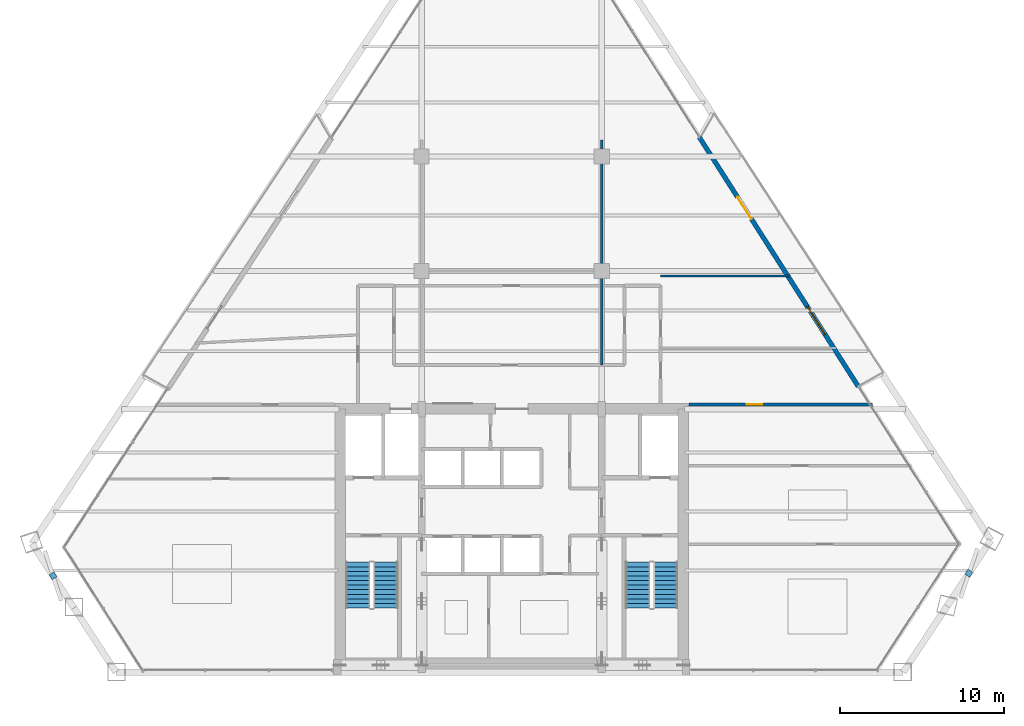
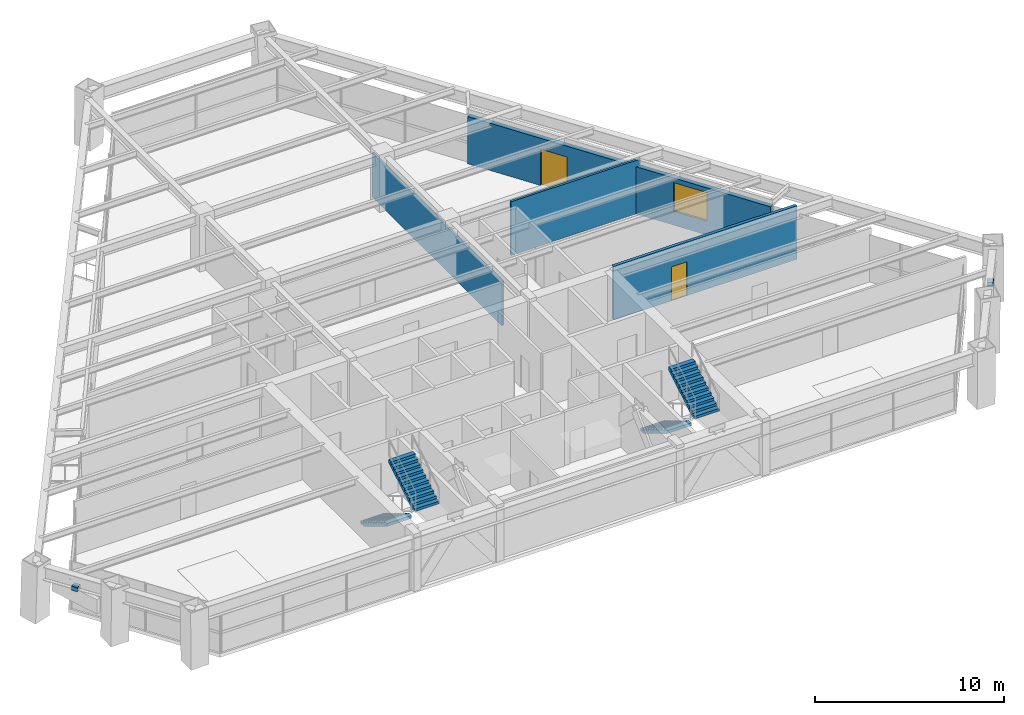
# One storey, part 13 of 15: 4 stair flights, 4 walls, 2 discrete accessories, 2 doors, 1 window, 3 openings, 2 elements without a shape of their own.
"""IFC4 building model written with IfcOpenShell, lengths in metres."""

from ifc_helpers import new_model, si_unit, direction, frame, frame_2d, origin, origin_2d, place, context, subcontext, project, spatial, polyline, rectangle, outline, extrude, source, transform, mapped, material, layer, layer_set, type_object, type_shapes, element, fill, aggregate, save


model = new_model("IFC4")

# Units and contexts
model_context = context("Model", 3, precision=1e-05, world=origin(), true_north=direction((0.0, 1.0)))
body_context = subcontext(model_context, "Body", "Model", "MODEL_VIEW")
ifc_project = project(units=[si_unit("LENGTHUNIT", "METRE"), si_unit("AREAUNIT", "SQUARE_METRE"), si_unit("VOLUMEUNIT", "CUBIC_METRE"), si_unit("PLANEANGLEUNIT", "RADIAN"), si_unit("MASSUNIT", "GRAM", prefix="KILO")], contexts=[model_context])

# Site, building, storey
site_placement = place(None, origin())
site = spatial("IfcSite", under=ifc_project, at=site_placement, CompositionType="ELEMENT")
building_placement = place(site_placement, origin())
building = spatial("IfcBuilding", under=site, at=building_placement, Name="Varnakhor Terracotta Tower", CompositionType="ELEMENT")
storey_placement = place(building_placement, frame((0.0, 0.0, 136.699951171875)))
storey = spatial("IfcBuildingStorey", under=building, at=storey_placement, Name="L34", CompositionType="ELEMENT", Elevation=136.699951171875)

# Wall, opening, door
ifc_material_1 = material(Name="Fire-Rated Gypsum Stud Partition", Category="gypsum")
ifc_layer_1 = layer(ifc_material_1, 0.18505859375, Name="Fire-Rated Gypsum Stud Partition")
ifc_layer_set_1 = layer_set([ifc_layer_1], Name="Fire-Rated Gypsum Stud Partition")
wall_type_1 = type_object("IfcWallType", Name="WAL-CORR-185", PredefinedType="PARTITIONING", material=ifc_layer_set_1)
wall_1_placement = place(storey_placement, frame((10.820068359375, 16.35009765625, 0.0), z_axis=(0.0, 0.0, 1.0), x_axis=(1.0, 0.0, 0.0)))
wall_1 = element("IfcWall", 1, at=wall_1_placement, inside=storey, type_object=wall_type_1, Name="L34 South East Entry Wall", PredefinedType="PARTITIONING", context=body_context, shape_type="SweptSolid", body=[
    extrude(rectangle(XDim=11.204345703125, YDim=0.18505859375, at=frame_2d((5.60205078125, 0.0))), origin(), (0.0, 0.0, 1.0), 3.462158203125),
])
opening_1_placement = place(wall_1_placement, frame((3.548583984375, 0.0, 0.0)))
opening_1 = element("IfcOpeningElement", 2, at=opening_1_placement, cuts=wall_1, Name="Opening DR-94", PredefinedType="OPENING", context=body_context, shape_type="SweptSolid", body=[
    extrude(rectangle(XDim=0.949951171875, YDim=2.199951171875, at=frame_2d((0.47509765625, 1.10009765625))), frame((0.0, 0.1025390625, 0.0), z_axis=(0.0, -1.0, 0.0), x_axis=(1.0, 0.0, 0.0)), (0.0, 0.0, 1.0), 0.205078125),
])
ifc_material_2 = material(Name="Acoustic Glazed-Vision Timber Office Door", Category="wood")
door_type_1 = type_object("IfcDoorType", Name="DR-OFF-950X2200", OperationType="NOTDEFINED", PredefinedType="DOOR", material=ifc_material_2)
shared_shape_1 = source(origin(), body_context, "Body", "SweptSolid", [
    extrude(rectangle(XDim=0.949951171875, YDim=2.199951171875, at=frame_2d((0.47509765625, 1.10009765625))), frame((0.0, 0.02490234375, 0.0), z_axis=(0.0, -1.0, 0.0), x_axis=(1.0, 0.0, 0.0)), (0.0, 0.0, 1.0), 0.050048828125),
])
type_shapes(door_type_1, [shared_shape_1])
door_1_placement = place(opening_1_placement, origin())
door_1 = element("IfcDoor", 3, at=door_1_placement, inside=storey, type_object=door_type_1, Name="L34 SE Suite Door", OperationType="SINGLE_SWING_RIGHT", OverallHeight=2.199951171875, OverallWidth=0.949951171875, PredefinedType="DOOR", context=body_context, shape_type="MappedRepresentation", body=[
    mapped(shared_shape_1, transform((0.0, 0.0, 0.0), scale=1.0)),
])
fill(opening_1, door_1)

# Wall, openings, door, window
ifc_material_3 = material(Name="Extruded Architectural Terracotta Assembly", Category="masonry")
ifc_layer_2 = layer(ifc_material_3, 0.280029296875, Name="Extruded Architectural Terracotta Assembly")
ifc_layer_set_2 = layer_set([ifc_layer_2], Name="Extruded Architectural Terracotta Assembly")
wall_type_2 = type_object("IfcWallType", Name="WAL-EXT-TERRACOTTA-280", PredefinedType="SOLIDWALL", material=ifc_layer_set_2)
wall_2_placement = place(storey_placement, frame((11.456298828125, 32.680908203125, 0.0), z_axis=(0.0, 0.0, 1.0), x_axis=(0.537658563867, -0.843162658507, 0.0)))
wall_2 = element("IfcWall", 4, at=wall_2_placement, inside=storey, type_object=wall_type_2, Name="L34 E Loggia Insulated Terracotta Wall", PredefinedType="SOLIDWALL", context=body_context, shape_type="SweptSolid", body=[
    extrude(rectangle(XDim=18.070068359375, YDim=0.280029296875, at=frame_2d((9.03515625, 0.0))), origin(), (0.0, 0.0, 1.0), 3.050048828125),
])
opening_2_placement = place(wall_2_placement, frame((4.3369140625, 0.0, 0.0)))
opening_2 = element("IfcOpeningElement", 5, at=opening_2_placement, cuts=wall_2, Name="Opening DR-62", PredefinedType="OPENING", context=body_context, shape_type="SweptSolid", body=[
    extrude(rectangle(XDim=1.60009765625, YDim=2.35009765625, at=frame_2d((0.800048828125, 1.175048828125))), frame((0.0, 0.14990234375, 0.0), z_axis=(0.0, -1.0, 0.0), x_axis=(1.0, 0.0, 0.0)), (0.0, 0.0, 1.0), 0.300048828125),
])
opening_3_placement = place(wall_2_placement, frame((12.287841796875, 0.0, 0.89990234375)))
opening_3 = element("IfcOpeningElement", 6, at=opening_3_placement, cuts=wall_2, Name="Opening WN-26", PredefinedType="OPENING", context=body_context, shape_type="SweptSolid", body=[
    extrude(rectangle(XDim=2.0, YDim=1.85009765625, at=frame_2d((1.0, 0.925048828125))), frame((0.0, 0.14990234375, 0.0), z_axis=(0.0, -1.0, 0.0), x_axis=(1.0, 0.0, 0.0)), (0.0, 0.0, 1.0), 0.300048828125),
])
ifc_material_4 = material(Name="Thermally Broken Sliding Glass Loggia Door", Category="glass")
door_type_2 = type_object("IfcDoorType", Name="DR-EXT-LOGGIA-1600X2350", OperationType="NOTDEFINED", PredefinedType="DOOR", material=ifc_material_4)
shared_shape_2 = source(origin(), body_context, "Body", "SweptSolid", [
    extrude(rectangle(XDim=1.60009765625, YDim=2.35009765625, at=frame_2d((0.800048828125, 1.175048828125))), frame((0.0, 0.02490234375, 0.0), z_axis=(0.0, -1.0, 0.0), x_axis=(1.0, 0.0, 0.0)), (0.0, 0.0, 1.0), 0.050048828125),
])
type_shapes(door_type_2, [shared_shape_2])
door_2_placement = place(opening_2_placement, origin())
door_2 = element("IfcDoor", 7, at=door_2_placement, inside=storey, type_object=door_type_2, Name="L34 E Recessed Loggia Sliding Door", OperationType="SLIDING_TO_RIGHT", OverallHeight=2.35009765625, OverallWidth=1.60009765625, PredefinedType="DOOR", context=body_context, shape_type="MappedRepresentation", body=[
    mapped(shared_shape_2, transform((0.0, 0.0, 0.0), scale=1.0)),
])
fill(opening_2, door_2)
ifc_material_5 = material(Name="Solar-Control Low-E Insulated Glass Unit", Category="glass")
window_type = type_object("IfcWindowType", Name="WIN-OFF-2200X2100", PartitioningType="SINGLE_PANEL", PredefinedType="WINDOW", material=ifc_material_5)
shared_shape_3 = source(origin(), body_context, "Body", "SweptSolid", [
    extrude(rectangle(XDim=2.0, YDim=1.85009765625, at=frame_2d((1.0, 0.925048828125))), frame((0.0, 0.030029296875, 0.0), z_axis=(0.0, -1.0, 0.0), x_axis=(1.0, 0.0, 0.0)), (0.0, 0.0, 1.0), 0.06005859375),
])
type_shapes(window_type, [shared_shape_3])
window_placement = place(opening_3_placement, origin())
window = element("IfcWindow", 8, at=window_placement, inside=storey, type_object=window_type, Name="L34 E Facet Punched Window", OverallHeight=1.85009765625, OverallWidth=2.0, PartitioningType="SINGLE_PANEL", PredefinedType="WINDOW", context=body_context, shape_type="MappedRepresentation", body=[
    mapped(shared_shape_3, transform((0.0, 0.0, 0.0), scale=1.0)),
])
fill(opening_3, window)

# Walls
ifc_material_6 = material(Name="Acoustic Metal-Stud Partition", Category="gypsum")
ifc_layer_3 = layer(ifc_material_6, 0.139892578125, Name="Acoustic Metal-Stud Partition")
ifc_layer_set_3 = layer_set([ifc_layer_3], Name="Acoustic Metal-Stud Partition")
wall_type_3 = type_object("IfcWallType", Name="WAL-PART-140", PredefinedType="PARTITIONING", material=ifc_layer_set_3)
wall_3_placement = place(storey_placement, frame((5.5, 18.75, 0.0), z_axis=(0.0, 0.0, 1.0), x_axis=(0.0, 1.0, 0.0)))
element("IfcWall", 9, at=wall_3_placement, inside=storey, type_object=wall_type_3, Name="L34 Center East Column Wall", PredefinedType="PARTITIONING", context=body_context, shape_type="SweptSolid", body=[
    extrude(rectangle(XDim=13.75, YDim=0.139892578125, at=frame_2d((6.875, 0.0))), origin(), (0.0, 0.0, 1.0), 2.845947265625),
])
wall_4_placement = place(storey_placement, frame((9.10009765625, 24.199951171875, 0.0), z_axis=(0.0, 0.0, 1.0), x_axis=(1.0, 0.0, 0.0)))
element("IfcWall", 10, at=wall_4_placement, inside=storey, type_object=wall_type_3, Name="L34 East Wing Cut 4", PredefinedType="PARTITIONING", context=body_context, shape_type="SweptSolid", body=[
    extrude(rectangle(XDim=7.91845703125, YDim=0.139892578125, at=frame_2d((3.959228515625, 0.0))), origin(), (0.0, 0.0, 1.0), 3.462158203125),
])

# Stair, stair flights
ifc_material_7 = material(Name="Concrete C40/50", Category="concrete")
stair_type = type_object("IfcStairType", Name="STR-CORE-OFFICE-1500", PredefinedType="HALF_TURN_STAIR", material=ifc_material_7)
stair_1_placement = place(storey_placement, origin())
stair_1 = element("IfcStair", 11, at=stair_1_placement, inside=storey, type_object=stair_type, Name="L34 Core Exit Stair ST-1", PredefinedType="HALF_TURN_STAIR")
stair_flight_type = type_object("IfcStairFlightType", Name="FLT-CORE-1500", PredefinedType="STRAIGHT", material=ifc_material_7)
stair_flight_1_placement = place(storey_placement, frame((-9.39990234375, 6.7099609375, 0.0), z_axis=(0.0, 0.0, 1.0), x_axis=(0.0, -1.0, 0.0)))
stair_flight_1 = element("IfcStairFlight", 12, at=stair_flight_1_placement, type_object=stair_flight_type, Name="ST-1 flight 1", NumberOfRisers=11, NumberOfTreads=10, PredefinedType="STRAIGHT", RiserHeight=0.168181818, TreadLength=0.28, context=body_context, shape_type="SweptSolid", body=[
    extrude(outline(polyline([(0.0, 0.0), (0.0, 0.168212890625), (0.280029296875, 0.168212890625), (0.280029296875, 0.33642578125), (0.56005859375, 0.33642578125), (0.56005859375, 0.504638671875), (0.840087890625, 0.504638671875), (0.840087890625, 0.672607421875), (1.1201171875, 0.672607421875), (1.1201171875, 0.8408203125), (1.39990234375, 0.8408203125), (1.39990234375, 1.009033203125), (1.679931640625, 1.009033203125), (1.679931640625, 1.17724609375), (1.9599609375, 1.17724609375), (1.9599609375, 1.345458984375), (2.239990234375, 1.345458984375), (2.239990234375, 1.513671875), (2.52001953125, 1.513671875), (2.52001953125, 1.681884765625), (2.800048828125, 1.681884765625), (2.800048828125, 1.85009765625), (2.800048828125, 1.495361328125), (0.310546875, 0.0), (0.0, 0.0)])), frame((0.0, 0.75, 0.0), z_axis=(0.0, -1.0, 0.0), x_axis=(1.0, 0.0, 0.0)), (0.0, 0.0, 1.0), 1.5),
])
stair_flight_2_placement = place(storey_placement, frame((-7.699951171875, 3.909912109375, 1.85009765625), z_axis=(0.0, 0.0, 1.0), x_axis=(0.0, 1.0, 0.0)))
stair_flight_2 = element("IfcStairFlight", 13, at=stair_flight_2_placement, type_object=stair_flight_type, Name="ST-1 flight 2", NumberOfRisers=11, NumberOfTreads=10, PredefinedType="STRAIGHT", RiserHeight=0.168181818, TreadLength=0.28, context=body_context, shape_type="SweptSolid", body=[
    extrude(outline(polyline([(0.0, 0.0), (0.0, 0.168212890625), (0.280029296875, 0.168212890625), (0.280029296875, 0.33642578125), (0.56005859375, 0.33642578125), (0.56005859375, 0.504638671875), (0.840087890625, 0.504638671875), (0.840087890625, 0.672607421875), (1.1201171875, 0.672607421875), (1.1201171875, 0.8408203125), (1.39990234375, 0.8408203125), (1.39990234375, 1.009033203125), (1.679931640625, 1.009033203125), (1.679931640625, 1.17724609375), (1.9599609375, 1.17724609375), (1.9599609375, 1.345458984375), (2.239990234375, 1.345458984375), (2.239990234375, 1.513671875), (2.52001953125, 1.513671875), (2.52001953125, 1.681884765625), (2.800048828125, 1.681884765625), (2.800048828125, 1.85009765625), (2.800048828125, 1.495361328125), (0.310546875, 0.0), (0.0, 0.0)])), frame((0.0, 0.75, 0.0), z_axis=(0.0, -1.0, 0.0), x_axis=(1.0, 0.0, 0.0)), (0.0, 0.0, 1.0), 1.5),
])
aggregate(stair_1, [stair_flight_1, stair_flight_2])

stair_2_placement = place(storey_placement, origin())
stair_2 = element("IfcStair", 14, at=stair_2_placement, inside=storey, type_object=stair_type, Name="L34 Core Exit Stair ST-2", PredefinedType="HALF_TURN_STAIR")
stair_flight_3_placement = place(storey_placement, frame((7.699951171875, 6.7099609375, 0.0), z_axis=(0.0, 0.0, 1.0), x_axis=(0.0, -1.0, 0.0)))
stair_flight_3 = element("IfcStairFlight", 15, at=stair_flight_3_placement, type_object=stair_flight_type, Name="ST-2 flight 1", NumberOfRisers=11, NumberOfTreads=10, PredefinedType="STRAIGHT", RiserHeight=0.168181818, TreadLength=0.28, context=body_context, shape_type="SweptSolid", body=[
    extrude(outline(polyline([(0.0, 0.0), (0.0, 0.168212890625), (0.280029296875, 0.168212890625), (0.280029296875, 0.33642578125), (0.56005859375, 0.33642578125), (0.56005859375, 0.504638671875), (0.840087890625, 0.504638671875), (0.840087890625, 0.672607421875), (1.1201171875, 0.672607421875), (1.1201171875, 0.8408203125), (1.39990234375, 0.8408203125), (1.39990234375, 1.009033203125), (1.679931640625, 1.009033203125), (1.679931640625, 1.17724609375), (1.9599609375, 1.17724609375), (1.9599609375, 1.345458984375), (2.239990234375, 1.345458984375), (2.239990234375, 1.513671875), (2.52001953125, 1.513671875), (2.52001953125, 1.681884765625), (2.800048828125, 1.681884765625), (2.800048828125, 1.85009765625), (2.800048828125, 1.495361328125), (0.310546875, 0.0), (0.0, 0.0)])), frame((0.0, 0.75, 0.0), z_axis=(0.0, -1.0, 0.0), x_axis=(1.0, 0.0, 0.0)), (0.0, 0.0, 1.0), 1.5),
])
stair_flight_4_placement = place(storey_placement, frame((9.39990234375, 3.909912109375, 1.85009765625), z_axis=(0.0, 0.0, 1.0), x_axis=(0.0, 1.0, 0.0)))
stair_flight_4 = element("IfcStairFlight", 16, at=stair_flight_4_placement, type_object=stair_flight_type, Name="ST-2 flight 2", NumberOfRisers=11, NumberOfTreads=10, PredefinedType="STRAIGHT", RiserHeight=0.168181818, TreadLength=0.28, context=body_context, shape_type="SweptSolid", body=[
    extrude(outline(polyline([(0.0, 0.0), (0.0, 0.168212890625), (0.280029296875, 0.168212890625), (0.280029296875, 0.33642578125), (0.56005859375, 0.33642578125), (0.56005859375, 0.504638671875), (0.840087890625, 0.504638671875), (0.840087890625, 0.672607421875), (1.1201171875, 0.672607421875), (1.1201171875, 0.8408203125), (1.39990234375, 0.8408203125), (1.39990234375, 1.009033203125), (1.679931640625, 1.009033203125), (1.679931640625, 1.17724609375), (1.9599609375, 1.17724609375), (1.9599609375, 1.345458984375), (2.239990234375, 1.345458984375), (2.239990234375, 1.513671875), (2.52001953125, 1.513671875), (2.52001953125, 1.681884765625), (2.800048828125, 1.681884765625), (2.800048828125, 1.85009765625), (2.800048828125, 1.495361328125), (0.310546875, 0.0), (0.0, 0.0)])), frame((0.0, 0.75, 0.0), z_axis=(0.0, -1.0, 0.0), x_axis=(1.0, 0.0, 0.0)), (0.0, 0.0, 1.0), 1.5),
])
aggregate(stair_2, [stair_flight_3, stair_flight_4])

# Discrete accessories
ifc_material_8 = material(Name="Stainless Steel Fixing Bracket", Category="steel")
discrete_accessory_type = type_object("IfcDiscreteAccessoryType", Name="BRACKET-TERRACOTTA-SCREEN", PredefinedType="BRACKET", material=ifc_material_8)
shared_shape_4 = source(origin(), body_context, "Body", "SweptSolid", [
    extrude(rectangle(XDim=0.35009765625, YDim=0.35009765625, at=origin_2d()), origin(), (0.0, 0.0, 1.0), 0.280029296875),
])
type_shapes(discrete_accessory_type, [shared_shape_4])
for number, where, z_axis, x_axis, name in (
    (17, (27.931396484375, 6.0341796875, 2.48486328125), (0.0, 0.0, 1.0), (0.554278005748, 0.832331599991, 0.0), "L34 E Screen Fixing Bracket"),
    (18, (-28.0224609375, 5.881591796875, 2.48486328125), (0.0, 0.0, 1.0), (0.546803574886, -0.837260921393, 0.0), "L34 W Screen Fixing Bracket"),
):
    element("IfcDiscreteAccessory", number, at=place(storey_placement, frame(where, z_axis=z_axis, x_axis=x_axis)), inside=storey, type_object=discrete_accessory_type, Name=name, PredefinedType="BRACKET", context=body_context, shape_type="MappedRepresentation", body=[
        mapped(shared_shape_4, transform((0.0, 0.0, 0.0), scale=1.0)),
    ])

save(model, "model.ifc")
